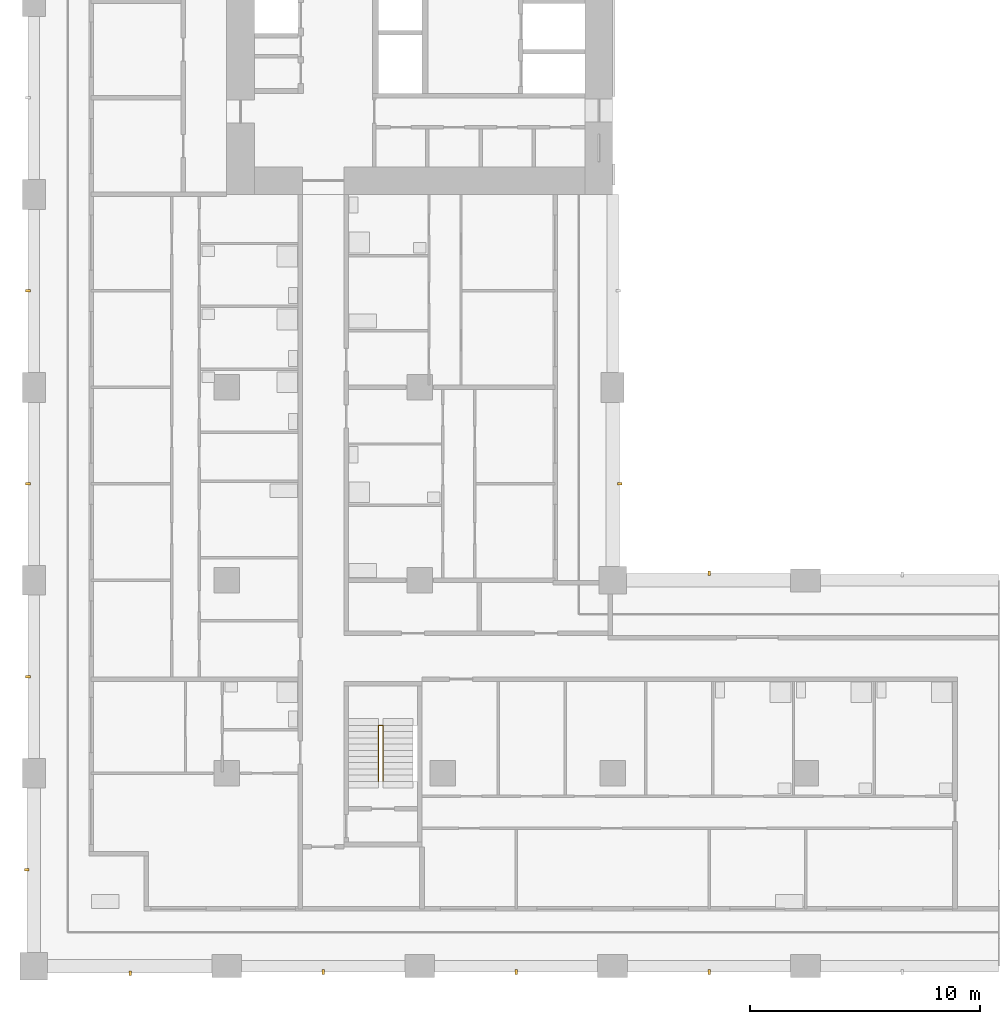
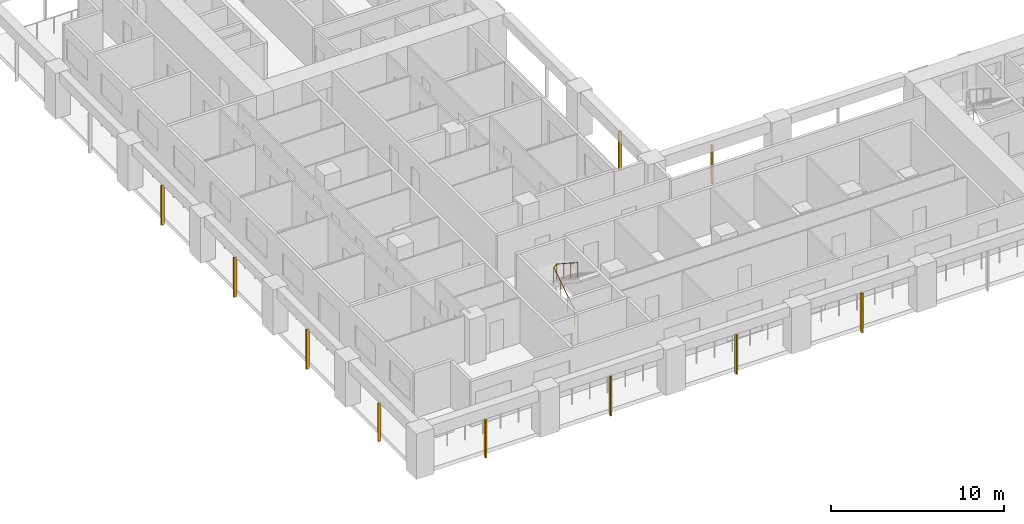
# One storey, part 10 of 17: 10 shading devices, 1 railing.
"""IFC4 building model written with IfcOpenShell, lengths in metres."""

from ifc_helpers import new_model, si_unit, direction, frame, origin, origin_2d, place, context, subcontext, project, spatial, rectangle, circle, extrude, material, material_profile, profile_set, type_object, element, save


model = new_model("IFC4")

# Units and contexts
model_context = context("Model", 3, precision=1e-05, world=origin(), true_north=direction((0.0, 1.0)))
body_context = subcontext(model_context, "Body", "Model", "MODEL_VIEW")
ifc_project = project(units=[si_unit("LENGTHUNIT", "METRE"), si_unit("AREAUNIT", "SQUARE_METRE"), si_unit("VOLUMEUNIT", "CUBIC_METRE"), si_unit("PLANEANGLEUNIT", "RADIAN"), si_unit("MASSUNIT", "GRAM", prefix="KILO")], contexts=[model_context])

# Site, building, storey
site_placement = place(None, origin())
site = spatial("IfcSite", under=ifc_project, at=site_placement, CompositionType="ELEMENT")
building_placement = place(site_placement, origin())
building = spatial("IfcBuilding", under=site, at=building_placement, Name="Vermilion Gate Residences", CompositionType="ELEMENT")
storey_placement = place(building_placement, frame((0.0, 0.0, 95.199951171875)))
storey = spatial("IfcBuildingStorey", under=building, at=storey_placement, Name="L23", CompositionType="ELEMENT", Elevation=95.199951171875)

# Railing
ifc_material_1 = material(Name="Steel S355", Category="steel")
railing_type = type_object("IfcRailingType", Name="STAIR GUARD 1100 STEEL", PredefinedType="GUARDRAIL", material=ifc_material_1)
railing_placement = place(storey_placement, frame((15.0, 16.449951171875, 0.175048828125)))
element("IfcRailing", 1, at=railing_placement, inside=storey, type_object=railing_type, Name="Stair well guard STC1-23", PredefinedType="GUARDRAIL", context=body_context, shape_type="SweptSolid", body=[
    extrude(circle(Radius=0.02392578125, at=origin_2d()), frame((0.0, 0.0, 1.076171875), z_axis=(0.0, 0.839153699163, 0.543894354798), x_axis=(-1.0, 0.0, 0.0)), (0.0, 0.0, 1.0), 2.895751953125),
    extrude(circle(Radius=0.02392578125, at=origin_2d()), frame((0.0, 2.429931640625, 2.65087890625), z_axis=(0.752405939678, 0.0, 0.658699705433), x_axis=(0.0, 1.0, 0.0)), (0.0, 0.0, 1.0), 0.265869140625),
    extrude(circle(Radius=0.02392578125, at=origin_2d()), frame((0.199951171875, 2.429931640625, 2.826171875), z_axis=(0.0, -0.839153699163, 0.543894354798), x_axis=(1.0, 0.0, 0.0)), (0.0, 0.0, 1.0), 2.895751953125),
    extrude(circle(Radius=0.02099609375, at=origin_2d()), origin(), (0.0, 0.0, 1.0), 1.052001953125),
    extrude(circle(Radius=0.02099609375, at=origin_2d()), frame((0.0, 0.81005859375, 0.52490234375)), (0.0, 0.0, 1.0), 1.052001953125),
    extrude(circle(Radius=0.02099609375, at=origin_2d()), frame((0.0, 1.619873046875, 1.050048828125)), (0.0, 0.0, 1.0), 1.052001953125),
    extrude(circle(Radius=0.02099609375, at=origin_2d()), frame((0.0, 2.429931640625, 1.574951171875)), (0.0, 0.0, 1.0), 1.052001953125),
    extrude(circle(Radius=0.02099609375, at=origin_2d()), frame((0.199951171875, 2.429931640625, 1.75)), (0.0, 0.0, 1.0), 1.052001953125),
    extrude(circle(Radius=0.02099609375, at=origin_2d()), frame((0.199951171875, 1.619873046875, 2.27490234375)), (0.0, 0.0, 1.0), 1.052001953125),
    extrude(circle(Radius=0.02099609375, at=origin_2d()), frame((0.199951171875, 0.81005859375, 2.800048828125)), (0.0, 0.0, 1.0), 1.052001953125),
    extrude(circle(Radius=0.02099609375, at=origin_2d()), frame((0.199951171875, 0.0, 3.324951171875)), (0.0, 0.0, 1.0), 1.052001953125),
])

# Shading devices
ifc_material_2 = material(Name="Extruded terracotta", Category="masonry")
ifc_material_profile = material_profile(ifc_material_2, rectangle(XDim=0.199951171875, YDim=0.10009765625, at=origin_2d()), Name="BAGUETTE 100 X 200")
ifc_profile_set = profile_set([ifc_material_profile], Name="Extruded terracotta")
shading_device_type = type_object("IfcShadingDeviceType", Name="TERRACOTTA BAGUETTE 100 X 200", PredefinedType="JALOUSIE", material=ifc_profile_set)
shading_device_placement = place(storey_placement, frame((4.199951171875, 8.10009765625, -0.280029296875), z_axis=(0.0, 0.0, 1.0), x_axis=(0.0, 1.0, 0.0)))
element("IfcShadingDevice", 2, at=shading_device_placement, inside=storey, type_object=shading_device_type, Name="BAGUETTE", PredefinedType="JALOUSIE", context=body_context, shape_type="SweptSolid", body=[
    extrude(rectangle(XDim=0.199951171875, YDim=0.10009765625, at=origin_2d()), origin(), (0.0, 0.0, 1.0), 2.7001953125),
])
for number, where, z_axis, x_axis, name in (
    (3, (12.60009765625, 8.14990234375, -0.280029296875), (0.0, 0.0, 1.0), (0.0, 1.0, 0.0), "BAGUETTE"),
    (4, (21.0, 8.14990234375, -0.280029296875), (0.0, 0.0, 1.0), (0.0, 1.0, 0.0), "BAGUETTE"),
    (5, (29.39990234375, 8.14990234375, -0.280029296875), (0.0, 0.0, 1.0), (0.0, 1.0, 0.0), "BAGUETTE"),
):
    element("IfcShadingDevice", number, at=place(storey_placement, frame(where, z_axis=z_axis, x_axis=x_axis)), inside=storey, type_object=shading_device_type, Name=name, PredefinedType="JALOUSIE", context=body_context, shape_type="SweptSolid", body=[
        extrude(rectangle(XDim=0.199951171875, YDim=0.10009765625, at=origin_2d()), origin(), (0.0, 0.0, 1.0), 2.800048828125),
    ])
for number, where, z_axis, x_axis, name in (
    (6, (29.39990234375, 25.5, -0.280029296875), (0.0, 0.0, 1.0), (0.0, -1.0, 0.0), "BAGUETTE"),
    (7, (25.5, 29.39990234375, -0.280029296875), (0.0, 0.0, 1.0), (-1.0, 0.0, 0.0), "BAGUETTE"),
    (8, (-0.300048828125, 12.60009765625, -0.280029296875), (0.0, 0.0, 1.0), (1.0, 0.0, 0.0), "BAGUETTE"),
):
    element("IfcShadingDevice", number, at=place(storey_placement, frame(where, z_axis=z_axis, x_axis=x_axis)), inside=storey, type_object=shading_device_type, Name=name, PredefinedType="JALOUSIE", context=body_context, shape_type="SweptSolid", body=[
        extrude(rectangle(XDim=0.199951171875, YDim=0.10009765625, at=origin_2d()), origin(), (0.0, 0.0, 1.0), 2.7001953125),
    ])
for number, where, z_axis, x_axis, name in (
    (9, (-0.25, 21.0, -0.280029296875), (0.0, 0.0, 1.0), (1.0, 0.0, 0.0), "BAGUETTE"),
    (10, (-0.25, 29.39990234375, -0.280029296875), (0.0, 0.0, 1.0), (1.0, 0.0, 0.0), "BAGUETTE"),
    (11, (-0.25, 37.800048828125, -0.280029296875), (0.0, 0.0, 1.0), (1.0, 0.0, 0.0), "BAGUETTE"),
):
    element("IfcShadingDevice", number, at=place(storey_placement, frame(where, z_axis=z_axis, x_axis=x_axis)), inside=storey, type_object=shading_device_type, Name=name, PredefinedType="JALOUSIE", context=body_context, shape_type="SweptSolid", body=[
        extrude(rectangle(XDim=0.199951171875, YDim=0.10009765625, at=origin_2d()), origin(), (0.0, 0.0, 1.0), 2.800048828125),
    ])

save(model, "model.ifc")
